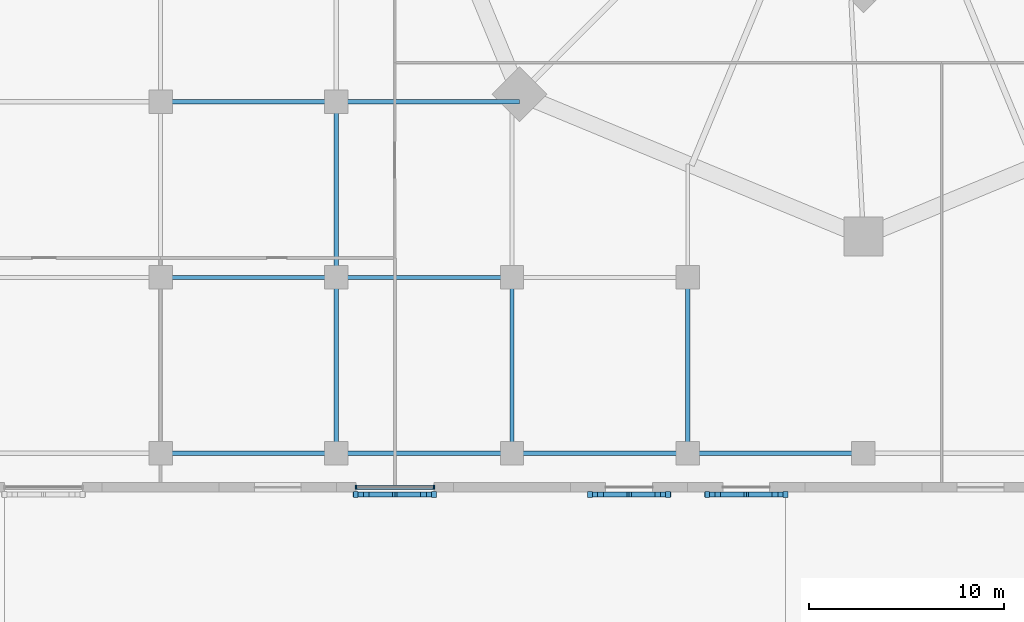
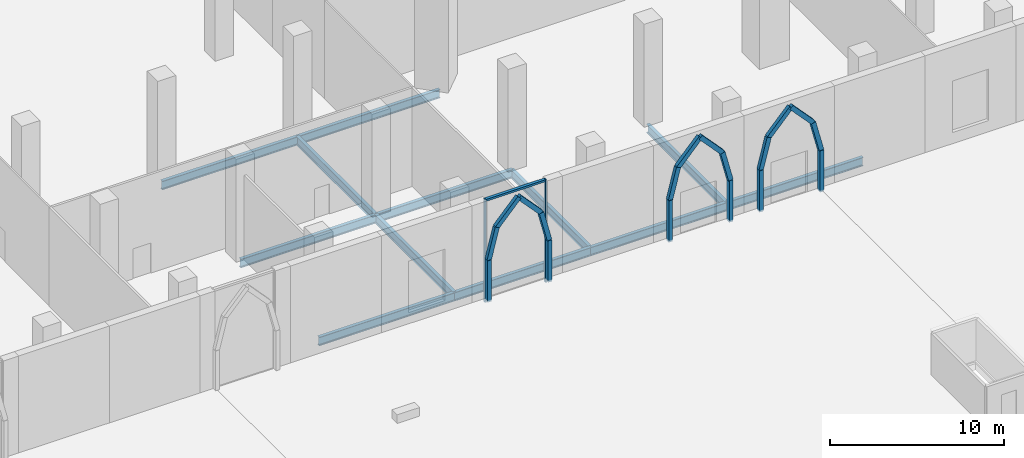
# One storey, part 10 of 48: 21 members, 12 beams, 1 element without a shape of its own.
"""IFC4 building model written with IfcOpenShell, lengths in metres."""

from ifc_helpers import new_model, si_unit, direction, frame, origin, origin_2d, place, context, subcontext, project, spatial, rectangle, i_section, extrude, material, material_profile, profile_set, type_object, element, aggregate, save


model = new_model("IFC4")

# Units and contexts
model_context = context("Model", 3, precision=1e-05, world=origin(), true_north=direction((0.0, 1.0)))
body_context = subcontext(model_context, "Body", "Model", "MODEL_VIEW")
ifc_project = project(units=[si_unit("LENGTHUNIT", "METRE"), si_unit("AREAUNIT", "SQUARE_METRE"), si_unit("VOLUMEUNIT", "CUBIC_METRE"), si_unit("PLANEANGLEUNIT", "RADIAN"), si_unit("MASSUNIT", "GRAM", prefix="KILO")], contexts=[model_context])

# Site, building, storey
site_placement = place(None, origin())
site = spatial("IfcSite", under=ifc_project, at=site_placement, CompositionType="ELEMENT")
building_placement = place(site_placement, origin())
building = spatial("IfcBuilding", under=site, at=building_placement, Name="Ogive Gate Towers", CompositionType="ELEMENT")
storey_placement = place(building_placement, origin())
storey = spatial("IfcBuildingStorey", under=building, at=storey_placement, Name="L00", CompositionType="ELEMENT", Elevation=0.0)

# Members
ifc_material_1 = material(Name="Precast concrete C40/50", Category="concrete")
ifc_material_profile_1 = material_profile(ifc_material_1, rectangle(XDim=0.25, YDim=0.300048828125, at=origin_2d()), Name="250 x 300 cast stone")
ifc_profile_set_1 = profile_set([ifc_material_profile_1], Name="Precast concrete C40/50")
member_type_1 = type_object("IfcMemberType", Name="Arch rib 250 x 300", PredefinedType="USERDEFINED", material=ifc_profile_set_1)
member_1_placement = place(storey_placement, frame((10.0, -38.125, 0.0), z_axis=(0.0, 0.0, 1.0), x_axis=(1.0, 0.0, 0.0)))
element("IfcMember", 1, at=member_1_placement, inside=storey, type_object=member_type_1, Name="Arcade arch rib", ObjectType="ARCH RIB", PredefinedType="USERDEFINED", context=body_context, shape_type="SweptSolid", body=[
    extrude(rectangle(XDim=0.25, YDim=0.300048828125, at=origin_2d()), origin(), (0.0, 0.0, 1.0), 2.89990234375),
])
for number, where, z_axis, x_axis, name in (
    (2, (10.0, -38.125, 2.89990234375), (0.245931792163, 0.0, 0.969287136819), (0.0, 1.0, 0.0), "Arcade arch rib"),
    (3, (10.5322265625, -38.125, 4.99755859375), (0.678223875113, 0.0, 0.734855343062), (0.0, 1.0, 0.0), "Arcade arch rib"),
):
    element("IfcMember", number, at=place(storey_placement, frame(where, z_axis=z_axis, x_axis=x_axis)), inside=storey, type_object=member_type_1, Name=name, ObjectType="ARCH RIB", PredefinedType="USERDEFINED", context=body_context, shape_type="SweptSolid", body=[
        extrude(rectangle(XDim=0.25, YDim=0.300048828125, at=origin_2d()), origin(), (0.0, 0.0, 1.0), 2.1640625),
    ])
member_2_placement = place(storey_placement, frame((14.0, -38.125, 0.0), z_axis=(0.0, 0.0, 1.0), x_axis=(1.0, 0.0, 0.0)))
element("IfcMember", 4, at=member_2_placement, inside=storey, type_object=member_type_1, Name="Arcade arch rib", ObjectType="ARCH RIB", PredefinedType="USERDEFINED", context=body_context, shape_type="SweptSolid", body=[
    extrude(rectangle(XDim=0.25, YDim=0.300048828125, at=origin_2d()), origin(), (0.0, 0.0, 1.0), 2.89990234375),
])
for number, where, z_axis, x_axis, name in (
    (5, (14.0, -38.125, 2.89990234375), (-0.245931792163, 0.0, 0.969287136819), (0.0, -1.0, 0.0), "Arcade arch rib"),
    (6, (13.4677734375, -38.125, 4.99755859375), (-0.678223875113, 0.0, 0.734855343062), (0.0, -1.0, 0.0), "Arcade arch rib"),
):
    element("IfcMember", number, at=place(storey_placement, frame(where, z_axis=z_axis, x_axis=x_axis)), inside=storey, type_object=member_type_1, Name=name, ObjectType="ARCH RIB", PredefinedType="USERDEFINED", context=body_context, shape_type="SweptSolid", body=[
        extrude(rectangle(XDim=0.25, YDim=0.300048828125, at=origin_2d()), origin(), (0.0, 0.0, 1.0), 2.1640625),
    ])
member_3_placement = place(storey_placement, frame((22.0, -38.125, 0.0), z_axis=(0.0, 0.0, 1.0), x_axis=(1.0, 0.0, 0.0)))
element("IfcMember", 7, at=member_3_placement, inside=storey, type_object=member_type_1, Name="Arcade arch rib", ObjectType="ARCH RIB", PredefinedType="USERDEFINED", context=body_context, shape_type="SweptSolid", body=[
    extrude(rectangle(XDim=0.25, YDim=0.300048828125, at=origin_2d()), origin(), (0.0, 0.0, 1.0), 2.89990234375),
])
for number, where, z_axis, x_axis, name in (
    (8, (22.0, -38.125, 2.89990234375), (0.245931792163, 0.0, 0.969287136819), (0.0, 1.0, 0.0), "Arcade arch rib"),
    (9, (22.5322265625, -38.125, 4.99755859375), (0.678223875113, 0.0, 0.734855343062), (0.0, 1.0, 0.0), "Arcade arch rib"),
):
    element("IfcMember", number, at=place(storey_placement, frame(where, z_axis=z_axis, x_axis=x_axis)), inside=storey, type_object=member_type_1, Name=name, ObjectType="ARCH RIB", PredefinedType="USERDEFINED", context=body_context, shape_type="SweptSolid", body=[
        extrude(rectangle(XDim=0.25, YDim=0.300048828125, at=origin_2d()), origin(), (0.0, 0.0, 1.0), 2.1640625),
    ])
member_4_placement = place(storey_placement, frame((26.0, -38.125, 0.0), z_axis=(0.0, 0.0, 1.0), x_axis=(1.0, 0.0, 0.0)))
element("IfcMember", 10, at=member_4_placement, inside=storey, type_object=member_type_1, Name="Arcade arch rib", ObjectType="ARCH RIB", PredefinedType="USERDEFINED", context=body_context, shape_type="SweptSolid", body=[
    extrude(rectangle(XDim=0.25, YDim=0.300048828125, at=origin_2d()), origin(), (0.0, 0.0, 1.0), 2.89990234375),
])
for number, where, z_axis, x_axis, name in (
    (11, (26.0, -38.125, 2.89990234375), (-0.245931792163, 0.0, 0.969287136819), (0.0, -1.0, 0.0), "Arcade arch rib"),
    (12, (25.4677734375, -38.125, 4.99755859375), (-0.678223875113, 0.0, 0.734855343062), (0.0, -1.0, 0.0), "Arcade arch rib"),
):
    element("IfcMember", number, at=place(storey_placement, frame(where, z_axis=z_axis, x_axis=x_axis)), inside=storey, type_object=member_type_1, Name=name, ObjectType="ARCH RIB", PredefinedType="USERDEFINED", context=body_context, shape_type="SweptSolid", body=[
        extrude(rectangle(XDim=0.25, YDim=0.300048828125, at=origin_2d()), origin(), (0.0, 0.0, 1.0), 2.1640625),
    ])
member_5_placement = place(storey_placement, frame((28.0, -38.125, 0.0), z_axis=(0.0, 0.0, 1.0), x_axis=(1.0, 0.0, 0.0)))
element("IfcMember", 13, at=member_5_placement, inside=storey, type_object=member_type_1, Name="Arcade arch rib", ObjectType="ARCH RIB", PredefinedType="USERDEFINED", context=body_context, shape_type="SweptSolid", body=[
    extrude(rectangle(XDim=0.25, YDim=0.300048828125, at=origin_2d()), origin(), (0.0, 0.0, 1.0), 2.89990234375),
])
for number, where, z_axis, x_axis, name in (
    (14, (28.0, -38.125, 2.89990234375), (0.245931792163, 0.0, 0.969287136819), (0.0, 1.0, 0.0), "Arcade arch rib"),
    (15, (28.5322265625, -38.125, 4.99755859375), (0.678223875113, 0.0, 0.734855343062), (0.0, 1.0, 0.0), "Arcade arch rib"),
):
    element("IfcMember", number, at=place(storey_placement, frame(where, z_axis=z_axis, x_axis=x_axis)), inside=storey, type_object=member_type_1, Name=name, ObjectType="ARCH RIB", PredefinedType="USERDEFINED", context=body_context, shape_type="SweptSolid", body=[
        extrude(rectangle(XDim=0.25, YDim=0.300048828125, at=origin_2d()), origin(), (0.0, 0.0, 1.0), 2.1640625),
    ])
member_6_placement = place(storey_placement, frame((32.0, -38.125, 0.0), z_axis=(0.0, 0.0, 1.0), x_axis=(1.0, 0.0, 0.0)))
element("IfcMember", 16, at=member_6_placement, inside=storey, type_object=member_type_1, Name="Arcade arch rib", ObjectType="ARCH RIB", PredefinedType="USERDEFINED", context=body_context, shape_type="SweptSolid", body=[
    extrude(rectangle(XDim=0.25, YDim=0.300048828125, at=origin_2d()), origin(), (0.0, 0.0, 1.0), 2.89990234375),
])
for number, where, z_axis, x_axis, name in (
    (17, (32.0, -38.125, 2.89990234375), (-0.245931792163, 0.0, 0.969287136819), (0.0, -1.0, 0.0), "Arcade arch rib"),
    (18, (31.4677734375, -38.125, 4.99755859375), (-0.678223875113, 0.0, 0.734855343062), (0.0, -1.0, 0.0), "Arcade arch rib"),
):
    element("IfcMember", number, at=place(storey_placement, frame(where, z_axis=z_axis, x_axis=x_axis)), inside=storey, type_object=member_type_1, Name=name, ObjectType="ARCH RIB", PredefinedType="USERDEFINED", context=body_context, shape_type="SweptSolid", body=[
        extrude(rectangle(XDim=0.25, YDim=0.300048828125, at=origin_2d()), origin(), (0.0, 0.0, 1.0), 2.1640625),
    ])

# Beams
ifc_material_2 = material(Name="Steel SM355", Category="steel")
ifc_material_profile_2 = material_profile(ifc_material_2, i_section(OverallWidth=0.219970703125, OverallDepth=0.60009765625, WebThickness=0.011962890625, FlangeThickness=0.01904296875, FilletRadius=0.02392578125, at=origin_2d()), Name="IPE 600")
ifc_profile_set_2 = profile_set([ifc_material_profile_2], Name="Steel SM355")
beam_type = type_object("IfcBeamType", Name="Floor beam IPE 600", PredefinedType="BEAM", material=ifc_profile_set_2)
for number, where, z_axis, x_axis, name in (
    (19, (9.0, -36.0, -0.60009765625), (0.0, 1.0, 0.0), (-1.0, 0.0, 0.0), "PD/L00/SBM041"),
    (20, (9.0, -27.0, -0.60009765625), (0.0, 1.0, 0.0), (-1.0, 0.0, 0.0), "PD/L00/SBM042"),
    (21, (18.0, -36.0, -0.60009765625), (0.0, 1.0, 0.0), (-1.0, 0.0, 0.0), "PD/L00/SBM047"),
    (22, (27.0, -36.0, -0.60009765625), (0.0, 1.0, 0.0), (-1.0, 0.0, 0.0), "PD/L00/SBM051"),
    (23, (0.0, -36.0, -0.60009765625), (1.0, 0.0, 0.0), (0.0, 1.0, 0.0), "PD/L00/SBM081"),
    (24, (9.0, -36.0, -0.60009765625), (1.0, 0.0, 0.0), (0.0, 1.0, 0.0), "PD/L00/SBM082"),
    (25, (18.0, -36.0, -0.60009765625), (1.0, 0.0, 0.0), (0.0, 1.0, 0.0), "PD/L00/SBM083"),
    (26, (27.0, -36.0, -0.60009765625), (1.0, 0.0, 0.0), (0.0, 1.0, 0.0), "PD/L00/SBM084"),
    (27, (0.0, -27.0, -0.60009765625), (1.0, 0.0, 0.0), (0.0, 1.0, 0.0), "PD/L00/SBM095"),
    (28, (9.0, -27.0, -0.60009765625), (1.0, 0.0, 0.0), (0.0, 1.0, 0.0), "PD/L00/SBM096"),
    (29, (0.0, -18.0, -0.60009765625), (1.0, 0.0, 0.0), (0.0, 1.0, 0.0), "PD/L00/SBM105"),
):
    element("IfcBeam", number, at=place(storey_placement, frame(where, z_axis=z_axis, x_axis=x_axis)), inside=storey, type_object=beam_type, Name=name, PredefinedType="BEAM", context=body_context, shape_type="SweptSolid", body=[
        extrude(i_section(OverallWidth=0.219970703125, OverallDepth=0.60009765625, WebThickness=0.011962890625, FlangeThickness=0.01904296875, FilletRadius=0.02392578125, at=origin_2d()), origin(), (0.0, 0.0, 1.0), 9.0),
    ])
beam_placement = place(storey_placement, frame((9.0, -18.0, -0.60009765625), z_axis=(1.0, 0.0, 0.0), x_axis=(0.0, 1.0, 0.0)))
element("IfcBeam", 30, at=beam_placement, inside=storey, type_object=beam_type, Name="PD/L00/SBM106", PredefinedType="BEAM", context=body_context, shape_type="SweptSolid", body=[
    extrude(i_section(OverallWidth=0.219970703125, OverallDepth=0.60009765625, WebThickness=0.011962890625, FlangeThickness=0.01904296875, FilletRadius=0.02392578125, at=origin_2d()), origin(), (0.0, 0.0, 1.0), 9.385986328125),
])

# Curtain wall, members
ifc_material_3 = material(Name="Pale metal aluminium", Category="aluminium")
curtain_wall_type = type_object("IfcCurtainWallType", Name="Podium glazing", PredefinedType="NOTDEFINED", material=ifc_material_3)
curtain_wall_placement = place(storey_placement, origin())
curtain_wall = element("IfcCurtainWall", 31, at=curtain_wall_placement, inside=storey, type_object=curtain_wall_type, Name="CW6 PD ECW12", PredefinedType="NOTDEFINED")
ifc_material_profile_3 = material_profile(ifc_material_3, rectangle(XDim=0.199951171875, YDim=0.080078125, at=origin_2d()), Name="80 x 200 aluminium box")
ifc_profile_set_3 = profile_set([ifc_material_profile_3], Name="Pale metal aluminium")
member_type_2 = type_object("IfcMemberType", Name="Podium glazing mullion 80 x 200", PredefinedType="MULLION", material=ifc_profile_set_3)
member_7_placement = place(storey_placement, frame((10.0, -37.75, -0.300048828125), z_axis=(0.0, 0.0, 1.0), x_axis=(0.0, -1.0, 0.0)))
member_7 = element("IfcMember", 32, at=member_7_placement, type_object=member_type_2, Name="CW6 mullion", PredefinedType="MULLION", context=body_context, shape_type="SweptSolid", body=[
    extrude(rectangle(XDim=0.199951171875, YDim=0.080078125, at=origin_2d()), origin(), (0.0, 0.0, 1.0), 7.199951171875),
])
member_8_placement = place(storey_placement, frame((14.0, -37.75, -0.300048828125), z_axis=(0.0, 0.0, 1.0), x_axis=(0.0, -1.0, 0.0)))
member_8 = element("IfcMember", 33, at=member_8_placement, type_object=member_type_2, Name="CW6 mullion", PredefinedType="MULLION", context=body_context, shape_type="SweptSolid", body=[
    extrude(rectangle(XDim=0.199951171875, YDim=0.080078125, at=origin_2d()), origin(), (0.0, 0.0, 1.0), 7.199951171875),
])
ifc_material_profile_4 = material_profile(ifc_material_3, rectangle(XDim=0.199951171875, YDim=0.139892578125, at=origin_2d()), Name="140 x 200 aluminium box")
ifc_profile_set_4 = profile_set([ifc_material_profile_4], Name="Pale metal aluminium")
member_type_3 = type_object("IfcMemberType", Name="Podium glazing transom 140 x 200", PredefinedType="USERDEFINED", material=ifc_profile_set_4)
member_9_placement = place(storey_placement, frame((10.0400390625, -37.75, 6.830078125), z_axis=(1.0, 0.0, 0.0), x_axis=(0.0, 1.0, 0.0)))
member_9 = element("IfcMember", 34, at=member_9_placement, type_object=member_type_3, Name="CW6 transom", ObjectType="TRANSOM", PredefinedType="USERDEFINED", context=body_context, shape_type="SweptSolid", body=[
    extrude(rectangle(XDim=0.199951171875, YDim=0.139892578125, at=origin_2d()), origin(), (0.0, 0.0, 1.0), 3.919921875),
])
aggregate(curtain_wall, [member_7, member_8, member_9])

save(model, "model.ifc")
